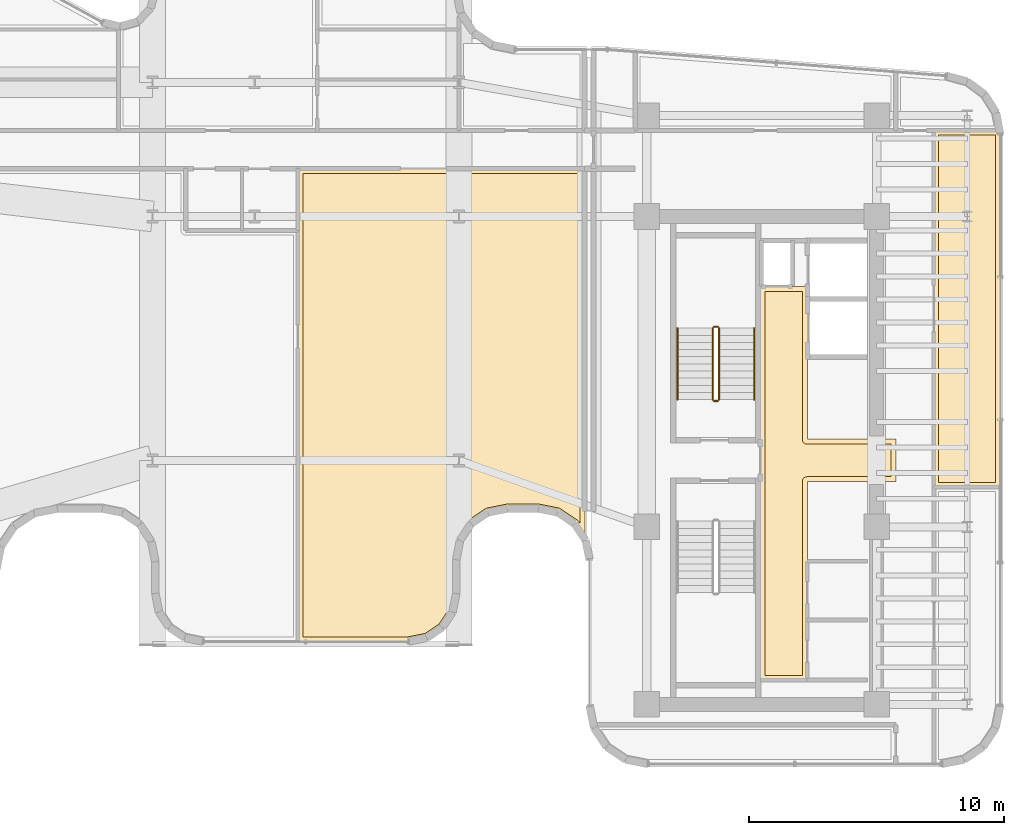
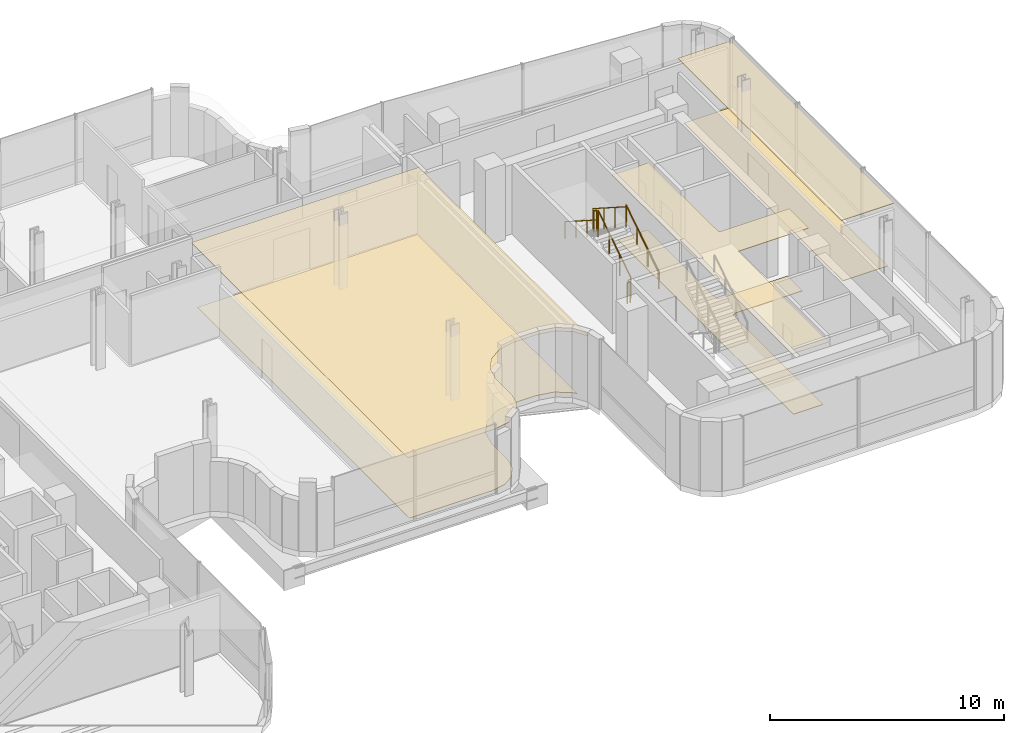
# One storey, part 37 of 39: 6 coverings, 6 railings.
"""IFC4 building model written with IfcOpenShell, lengths in metres."""

from ifc_helpers import new_model, si_unit, direction, frame, origin, origin_2d, place, context, subcontext, project, spatial, polyline, circle, outline, extrude, material, layer, layer_set, type_object, element, save


model = new_model("IFC4")

# Units and contexts
model_context = context("Model", 3, precision=1e-05, world=origin(), true_north=direction((0.0, 1.0)))
body_context = subcontext(model_context, "Body", "Model", "MODEL_VIEW")
ifc_project = project(units=[si_unit("LENGTHUNIT", "METRE"), si_unit("AREAUNIT", "SQUARE_METRE"), si_unit("VOLUMEUNIT", "CUBIC_METRE"), si_unit("PLANEANGLEUNIT", "RADIAN"), si_unit("MASSUNIT", "GRAM", prefix="KILO")], contexts=[model_context])

# Site, building, storey
site_placement = place(None, origin())
site = spatial("IfcSite", under=ifc_project, at=site_placement, CompositionType="ELEMENT")
building_placement = place(site_placement, origin())
building = spatial("IfcBuilding", under=site, at=building_placement, Name="Valdorenza Pilgrim Sanctuary Tower", CompositionType="ELEMENT")
storey_placement = place(building_placement, frame((0.0, 0.0, 184.449951171875)))
storey = spatial("IfcBuildingStorey", under=building, at=storey_placement, Name="L47", CompositionType="ELEMENT", Elevation=184.449951171875)

# Coverings
ifc_material_1 = material(Name="Micro-perforated acoustic mineral ceiling tile", Category="gypsum")
ifc_layer_1 = layer(ifc_material_1, 0.02490234375, Name="Micro-perforated acoustic mineral ceiling tile")
ifc_layer_set_1 = layer_set([ifc_layer_1], Name="Micro-perforated acoustic mineral ceiling tile")
covering_type_1 = type_object("IfcCoveringType", Name="COV-CLG-ACU", PredefinedType="CEILING", material=ifc_layer_set_1)
covering_1_placement = place(storey_placement, frame((0.0, 0.0, 3.330078125)))
element("IfcCovering", 1, at=covering_1_placement, inside=storey, type_object=covering_type_1, Name="L47 Core B Passenger Lift Lobby Acoustic Ceiling", PredefinedType="CEILING", context=body_context, shape_type="SweptSolid", body=[
    extrude(outline(polyline([(20.287109375, -0.814697265625), (20.287109375, 0.814697265625), (20.28662109375, 0.815185546875), (20.2861328125, 0.81640625), (20.28564453125, 0.81787109375), (20.285400390625, 0.819091796875), (20.28515625, 0.820556640625), (20.284912109375, 0.822021484375), (20.284912109375, 6.800048828125), (20.28515625, 6.801513671875), (20.285400390625, 6.802978515625), (20.28564453125, 6.804443359375), (20.2861328125, 6.8056640625), (20.286865234375, 6.80712890625), (20.28759765625, 6.808349609375), (20.288330078125, 6.8095703125), (20.289306640625, 6.810546875), (20.29052734375, 6.8115234375), (20.291748046875, 6.8125), (20.29296875, 6.813232421875), (20.294189453125, 6.81396484375), (20.295654296875, 6.814453125), (20.297119140625, 6.814697265625), (20.298583984375, 6.81494140625), (20.300048828125, 6.81494140625), (20.347900390625, 6.81494140625), (20.349365234375, 6.81494140625), (20.350830078125, 6.814697265625), (20.352294921875, 6.814453125), (20.353515625, 6.81396484375), (20.35498046875, 6.813232421875), (20.35546875, 6.81298828125), (21.544677734375, 6.81298828125), (21.545166015625, 6.813232421875), (21.54638671875, 6.81396484375), (21.5478515625, 6.814453125), (21.54931640625, 6.814697265625), (21.550537109375, 6.81494140625), (21.552001953125, 6.81494140625), (22.1201171875, 6.81494140625), (22.12158203125, 6.81494140625), (22.122802734375, 6.814697265625), (22.12451171875, 6.814453125), (22.125732421875, 6.81396484375), (22.127197265625, 6.813232421875), (22.12841796875, 6.8125), (22.12939453125, 6.8115234375), (22.130615234375, 6.810546875), (22.131591796875, 6.8095703125), (22.132568359375, 6.808349609375), (22.13330078125, 6.80712890625), (22.1337890625, 6.8056640625), (22.134521484375, 6.804443359375), (22.134765625, 6.802978515625), (22.135009765625, 6.801513671875), (22.135009765625, 6.800048828125), (22.135009765625, 0.8349609375), (25.60009765625, 0.8349609375), (25.6015625, 0.8349609375), (25.602783203125, 0.834716796875), (25.6044921875, 0.83447265625), (25.605712890625, 0.833984375), (25.607177734375, 0.833251953125), (25.6083984375, 0.83251953125), (25.609619140625, 0.83154296875), (25.610595703125, 0.83056640625), (25.611572265625, 0.82958984375), (25.612548828125, 0.828369140625), (25.61328125, 0.8271484375), (25.614013671875, 0.82568359375), (25.614501953125, 0.824462890625), (25.61474609375, 0.822998046875), (25.614990234375, 0.821533203125), (25.614990234375, 0.820068359375), (25.614990234375, -0.820068359375), (25.614990234375, -0.821533203125), (25.61474609375, -0.822998046875), (25.614501953125, -0.824462890625), (25.614013671875, -0.82568359375), (25.61328125, -0.8271484375), (25.612548828125, -0.828369140625), (25.611572265625, -0.82958984375), (25.610595703125, -0.83056640625), (25.609619140625, -0.83154296875), (25.6083984375, -0.83251953125), (25.607177734375, -0.833251953125), (25.605712890625, -0.833984375), (25.6044921875, -0.83447265625), (25.602783203125, -0.834716796875), (25.6015625, -0.8349609375), (25.60009765625, -0.8349609375), (22.135009765625, -0.8349609375), (22.135009765625, -8.60009765625), (22.135009765625, -8.6015625), (22.134765625, -8.602783203125), (22.134521484375, -8.6044921875), (22.1337890625, -8.605712890625), (22.13330078125, -8.607177734375), (22.132568359375, -8.6083984375), (22.131591796875, -8.609619140625), (22.130615234375, -8.610595703125), (22.12939453125, -8.611572265625), (22.12841796875, -8.612548828125), (22.127197265625, -8.61328125), (22.125732421875, -8.614013671875), (22.12451171875, -8.614501953125), (22.122802734375, -8.61474609375), (22.12158203125, -8.614990234375), (22.1201171875, -8.614990234375), (20.300048828125, -8.614990234375), (20.298583984375, -8.614990234375), (20.297119140625, -8.61474609375), (20.295654296875, -8.614501953125), (20.294189453125, -8.614013671875), (20.29296875, -8.61328125), (20.291748046875, -8.612548828125), (20.29052734375, -8.611572265625), (20.289306640625, -8.610595703125), (20.288330078125, -8.609619140625), (20.28759765625, -8.6083984375), (20.286865234375, -8.607177734375), (20.2861328125, -8.605712890625), (20.28564453125, -8.6044921875), (20.285400390625, -8.602783203125), (20.28515625, -8.6015625), (20.284912109375, -8.60009765625), (20.284912109375, -0.822021484375), (20.28515625, -0.820556640625), (20.285400390625, -0.819091796875), (20.28564453125, -0.81787109375), (20.2861328125, -0.81640625), (20.28662109375, -0.815185546875), (20.287109375, -0.814697265625)])), origin(), (0.0, 0.0, 1.0), 0.02490234375),
])
covering_2_placement = place(storey_placement, frame((0.0, 0.0, 3.330078125)))
element("IfcCovering", 2, at=covering_2_placement, inside=storey, type_object=covering_type_1, Name="L47 Sacred Archive Reading Library Acoustic Ceiling", PredefinedType="CEILING", context=body_context, shape_type="SweptSolid", body=[
    extrude(outline(polyline([(2.18701171875, 8.996337890625), (2.18701171875, 8.996826171875), (2.186767578125, 8.99853515625), (2.186767578125, 9.0), (2.18701171875, 9.00146484375), (2.18701171875, 9.001708984375), (2.18701171875, 11.419921875), (2.18701171875, 11.42138671875), (2.187255859375, 11.4228515625), (2.1875, 11.42431640625), (2.18798828125, 11.42578125), (2.188720703125, 11.427001953125), (2.189453125, 11.42822265625), (2.1904296875, 11.429443359375), (2.19140625, 11.4306640625), (2.1923828125, 11.431640625), (2.193603515625, 11.4326171875), (2.19482421875, 11.43310546875), (2.1962890625, 11.433837890625), (2.197509765625, 11.434326171875), (2.19921875, 11.434814453125), (2.200439453125, 11.434814453125), (2.201904296875, 11.43505859375), (13.419921875, 11.43505859375), (13.42138671875, 11.434814453125), (13.4228515625, 11.434814453125), (13.42431640625, 11.434326171875), (13.42578125, 11.433837890625), (13.427001953125, 11.43310546875), (13.42822265625, 11.4326171875), (13.429443359375, 11.431640625), (13.4306640625, 11.4306640625), (13.431640625, 11.429443359375), (13.4326171875, 11.42822265625), (13.43310546875, 11.427001953125), (13.433837890625, 11.42578125), (13.434326171875, 11.42431640625), (13.434814453125, 11.4228515625), (13.434814453125, 11.42138671875), (13.43505859375, 11.419921875), (13.43505859375, -3.071533203125), (13.434814453125, -3.072998046875), (13.434814453125, -3.074462890625), (13.434326171875, -3.075927734375), (13.433837890625, -3.077392578125), (13.43310546875, -3.07861328125), (13.4326171875, -3.079833984375), (13.431640625, -3.0810546875), (13.4306640625, -3.082275390625), (13.429443359375, -3.083251953125), (13.42822265625, -3.083984375), (13.427001953125, -3.084716796875), (13.42578125, -3.08544921875), (13.42431640625, -3.0859375), (13.4228515625, -3.086181640625), (13.42138671875, -3.08642578125), (13.419921875, -3.086669921875), (13.41845703125, -3.08642578125), (13.4169921875, -3.086181640625), (13.41552734375, -3.0859375), (13.414306640625, -3.08544921875), (13.412841796875, -3.084716796875), (13.41162109375, -3.083984375), (13.410400390625, -3.083251953125), (13.409423828125, -3.082275390625), (13.408447265625, -3.0810546875), (13.407470703125, -3.079833984375), (13.022705078125, -2.50390625), (13.016845703125, -2.49609375), (13.0107421875, -2.4892578125), (13.00390625, -2.483154296875), (12.99609375, -2.477294921875), (12.380126953125, -2.06591796875), (12.371826171875, -2.060791015625), (12.36328125, -2.056884765625), (12.354736328125, -2.0537109375), (12.34521484375, -2.051513671875), (11.618896484375, -1.906982421875), (11.609375, -1.905517578125), (11.599609375, -1.905029296875), (10.400390625, -1.905029296875), (10.390625, -1.905517578125), (10.381103515625, -1.906982421875), (9.65478515625, -2.051513671875), (9.645263671875, -2.0537109375), (9.63671875, -2.056884765625), (9.628173828125, -2.060791015625), (9.619873046875, -2.06591796875), (9.00390625, -2.477294921875), (8.99609375, -2.483154296875), (8.9892578125, -2.4892578125), (8.983154296875, -2.49609375), (8.977294921875, -2.50390625), (8.56591796875, -3.119873046875), (8.560791015625, -3.128173828125), (8.556884765625, -3.13671875), (8.5537109375, -3.145263671875), (8.551513671875, -3.15478515625), (8.406982421875, -3.881103515625), (8.405517578125, -3.890625), (8.405029296875, -3.900390625), (8.405029296875, -5.213134765625), (8.40478515625, -5.214599609375), (8.40478515625, -5.216064453125), (8.2607421875, -5.940185546875), (8.26025390625, -5.941650390625), (8.259765625, -5.943115234375), (8.25927734375, -5.9443359375), (8.258544921875, -5.945556640625), (7.8544921875, -6.55029296875), (7.853515625, -6.551513671875), (7.8525390625, -6.552490234375), (7.851318359375, -6.553466796875), (7.85009765625, -6.554443359375), (7.24560546875, -6.95849609375), (7.244384765625, -6.959228515625), (7.242919921875, -6.959716796875), (7.24169921875, -6.960205078125), (7.240234375, -6.960693359375), (6.51611328125, -7.104736328125), (6.5146484375, -7.10498046875), (6.51318359375, -7.10498046875), (2.201904296875, -7.10498046875), (2.200439453125, -7.10498046875), (2.19921875, -7.104736328125), (2.197509765625, -7.1044921875), (2.1962890625, -7.10400390625), (2.19482421875, -7.103271484375), (2.193603515625, -7.1025390625), (2.1923828125, -7.1015625), (2.19140625, -7.1005859375), (2.1904296875, -7.099609375), (2.189453125, -7.098388671875), (2.188720703125, -7.09716796875), (2.18798828125, -7.095703125), (2.1875, -7.094482421875), (2.187255859375, -7.093017578125), (2.18701171875, -7.091552734375), (2.18701171875, -7.090087890625), (2.18701171875, 8.996337890625)])), origin(), (0.0, 0.0, 1.0), 0.02490234375),
])
covering_3_placement = place(storey_placement, frame((0.0, 0.0, 3.330078125)))
element("IfcCovering", 3, at=covering_3_placement, inside=storey, type_object=covering_type_1, Name="L47 East Reading Lounge L47-EB2 Acoustic Ceiling", PredefinedType="CEILING", context=body_context, shape_type="SweptSolid", body=[
    extrude(outline(polyline([(27.0849609375, 12.91796875), (27.085205078125, 12.91943359375), (27.085205078125, 12.9208984375), (27.085693359375, 12.92236328125), (27.086181640625, 12.923583984375), (27.0869140625, 12.925048828125), (27.08740234375, 12.92626953125), (27.08837890625, 12.927490234375), (27.08935546875, 12.9287109375), (27.090576171875, 12.9296875), (27.091796875, 12.930419921875), (27.093017578125, 12.93115234375), (27.09423828125, 12.931884765625), (27.095703125, 12.932373046875), (27.09716796875, 12.9326171875), (27.098388671875, 12.932861328125), (27.10009765625, 12.93310546875), (29.660888671875, 12.93310546875), (29.660888671875, 12.93310546875), (29.662353515625, 12.93310546875), (29.663818359375, 12.932861328125), (29.665283203125, 12.9326171875), (29.66650390625, 12.93212890625), (29.66796875, 12.931640625), (29.669189453125, 12.930908203125), (29.67041015625, 12.930419921875), (29.67138671875, 12.929443359375), (29.672607421875, 12.928466796875), (29.673583984375, 12.92724609375), (29.67431640625, 12.926025390625), (29.675048828125, 12.9248046875), (29.67578125, 12.923583984375), (29.676025390625, 12.922119140625), (29.676513671875, 12.9208984375), (29.70458984375, 12.77099609375), (29.704833984375, 12.769775390625), (29.705078125, 12.768310546875), (29.705078125, -1.0380859375), (29.704833984375, -1.03955078125), (29.70458984375, -1.041015625), (29.704345703125, -1.04248046875), (29.703857421875, -1.043701171875), (29.703125, -1.045166015625), (29.702392578125, -1.04638671875), (29.70166015625, -1.047607421875), (29.70068359375, -1.048583984375), (29.699462890625, -1.049560546875), (29.6982421875, -1.050537109375), (29.697021484375, -1.05126953125), (29.69580078125, -1.052001953125), (29.6943359375, -1.052490234375), (29.69287109375, -1.052734375), (29.69140625, -1.052978515625), (29.68994140625, -1.052978515625), (27.10009765625, -1.052978515625), (27.098388671875, -1.052978515625), (27.09716796875, -1.052734375), (27.095703125, -1.052490234375), (27.09423828125, -1.052001953125), (27.093017578125, -1.05126953125), (27.091796875, -1.050537109375), (27.090576171875, -1.049560546875), (27.08935546875, -1.048583984375), (27.08837890625, -1.047607421875), (27.08740234375, -1.04638671875), (27.0869140625, -1.045166015625), (27.086181640625, -1.043701171875), (27.085693359375, -1.04248046875), (27.085205078125, -1.041015625), (27.085205078125, -1.03955078125), (27.0849609375, -1.0380859375), (27.0849609375, 12.91796875)])), origin(), (0.0, 0.0, 1.0), 0.02490234375),
])
ifc_material_2 = material(Name="Honed travertine stone flooring", Category="masonry")
ifc_layer_2 = layer(ifc_material_2, 0.030029296875, Name="Honed travertine stone flooring")
ifc_layer_set_2 = layer_set([ifc_layer_2], Name="Honed travertine stone flooring")
covering_type_2 = type_object("IfcCoveringType", Name="COV-FLR-TRV", PredefinedType="FLOORING", material=ifc_layer_set_2)
covering_4_placement = place(storey_placement, origin())
element("IfcCovering", 4, at=covering_4_placement, inside=storey, type_object=covering_type_2, Name="L47 Core B Passenger Lift Lobby Flooring", PredefinedType="FLOORING", context=body_context, shape_type="SweptSolid", body=[
    extrude(outline(polyline([(20.47998046875, 6.617919921875), (21.550048828125, 6.617919921875), (21.550537109375, 6.617919921875), (21.93994140625, 6.619384765625), (21.93994140625, 0.820068359375), (21.94091796875, 0.802490234375), (21.943603515625, 0.784912109375), (21.94775390625, 0.767578125), (21.95361328125, 0.751220703125), (21.961181640625, 0.735107421875), (21.97021484375, 0.719970703125), (21.98095703125, 0.705810546875), (21.99267578125, 0.692626953125), (22.005859375, 0.680908203125), (22.02001953125, 0.67041015625), (22.03515625, 0.661376953125), (22.051025390625, 0.65380859375), (22.067626953125, 0.647705078125), (22.0849609375, 0.6435546875), (22.102294921875, 0.640869140625), (22.1201171875, 0.639892578125), (25.419921875, 0.639892578125), (25.419921875, -0.639892578125), (22.1201171875, -0.639892578125), (22.102294921875, -0.640869140625), (22.0849609375, -0.6435546875), (22.067626953125, -0.647705078125), (22.051025390625, -0.65380859375), (22.03515625, -0.661376953125), (22.02001953125, -0.67041015625), (22.005859375, -0.680908203125), (21.99267578125, -0.692626953125), (21.98095703125, -0.705810546875), (21.97021484375, -0.719970703125), (21.961181640625, -0.735107421875), (21.95361328125, -0.751220703125), (21.94775390625, -0.767578125), (21.943603515625, -0.784912109375), (21.94091796875, -0.802490234375), (21.93994140625, -0.820068359375), (21.93994140625, -8.419921875), (20.47998046875, -8.419921875), (20.47998046875, -0.846923828125), (20.47998046875, -0.8466796875), (20.47998046875, -0.8466796875), (20.481689453125, -0.8291015625), (20.481689453125, -0.828857421875), (20.48193359375, -0.820068359375), (20.48193359375, 0.820068359375), (20.47998046875, 6.617919921875)])), origin(), (0.0, 0.0, 1.0), 0.025146484375),
])
covering_5_placement = place(storey_placement, origin())
element("IfcCovering", 5, at=covering_5_placement, inside=storey, type_object=covering_type_2, Name="L47 Sacred Archive Reading Library Flooring", PredefinedType="FLOORING", context=body_context, shape_type="SweptSolid", body=[
    extrude(outline(polyline([(2.382080078125, 8.999755859375), (2.382080078125, 9.0), (2.382080078125, 11.239990234375), (13.239990234375, 11.239990234375), (13.239990234375, -2.478271484375), (13.1845703125, -2.3955078125), (13.179443359375, -2.38818359375), (13.173095703125, -2.37939453125), (13.161865234375, -2.36572265625), (13.15478515625, -2.35791015625), (13.14208984375, -2.34521484375), (13.13427734375, -2.338134765625), (13.12060546875, -2.326904296875), (13.11181640625, -2.320556640625), (13.1044921875, -2.3154296875), (12.48828125, -1.903564453125), (12.480712890625, -1.898681640625), (12.471435546875, -1.893310546875), (12.455810546875, -1.885009765625), (12.4462890625, -1.88037109375), (12.4296875, -1.87353515625), (12.419677734375, -1.869873046875), (12.40283203125, -1.86474609375), (12.392333984375, -1.862060546875), (12.3837890625, -1.860107421875), (11.656494140625, -1.715576171875), (11.64794921875, -1.714111328125), (11.63720703125, -1.71240234375), (11.61962890625, -1.710693359375), (11.60888671875, -1.710205078125), (11.60009765625, -1.7099609375), (10.39990234375, -1.7099609375), (10.39111328125, -1.710205078125), (10.38037109375, -1.710693359375), (10.36279296875, -1.71240234375), (10.35205078125, -1.714111328125), (10.343505859375, -1.715576171875), (9.6162109375, -1.860107421875), (9.607666015625, -1.862060546875), (9.59716796875, -1.86474609375), (9.580322265625, -1.869873046875), (9.5703125, -1.87353515625), (9.5537109375, -1.88037109375), (9.544189453125, -1.885009765625), (9.528564453125, -1.893310546875), (9.519287109375, -1.898681640625), (9.51171875, -1.903564453125), (8.8955078125, -2.3154296875), (8.88818359375, -2.320556640625), (8.87939453125, -2.326904296875), (8.86572265625, -2.338134765625), (8.85791015625, -2.34521484375), (8.84521484375, -2.35791015625), (8.838134765625, -2.36572265625), (8.826904296875, -2.37939453125), (8.820556640625, -2.38818359375), (8.8154296875, -2.3955078125), (8.403564453125, -3.01171875), (8.398681640625, -3.019287109375), (8.393310546875, -3.028564453125), (8.385009765625, -3.044189453125), (8.38037109375, -3.0537109375), (8.37353515625, -3.0703125), (8.369873046875, -3.080322265625), (8.36474609375, -3.09716796875), (8.362060546875, -3.107666015625), (8.360107421875, -3.1162109375), (8.215576171875, -3.843505859375), (8.214111328125, -3.85205078125), (8.21240234375, -3.86279296875), (8.210693359375, -3.88037109375), (8.210205078125, -3.89111328125), (8.2099609375, -3.89990234375), (8.2099609375, -5.1953125), (8.076416015625, -5.866943359375), (7.712158203125, -6.412109375), (7.1669921875, -6.7763671875), (6.495361328125, -6.909912109375), (2.382080078125, -6.909912109375), (2.382080078125, 8.998046875), (2.382080078125, 8.9990234375), (2.382080078125, 8.999755859375)])), origin(), (0.0, 0.0, 1.0), 0.025146484375),
])
covering_6_placement = place(storey_placement, origin())
element("IfcCovering", 6, at=covering_6_placement, inside=storey, type_object=covering_type_2, Name="L47 East Reading Lounge L47-EB2 Flooring", PredefinedType="FLOORING", context=body_context, shape_type="SweptSolid", body=[
    extrude(outline(polyline([(27.280029296875, 12.738037109375), (29.510009765625, 12.738037109375), (29.510009765625, -0.85791015625), (27.280029296875, -0.85791015625), (27.280029296875, 12.738037109375)])), origin(), (0.0, 0.0, 1.0), 0.025146484375),
])

# Railings
ifc_material_3 = material(Name="Stainless steel Grade 316", Category="steel")
railing_type_1 = type_object("IfcRailingType", Name="RLG-GRD-1120", PredefinedType="GUARDRAIL", material=ifc_material_3)
railing_1_placement = place(storey_placement, frame((18.679931640625, 2.3798828125, 0.1796875)))
element("IfcRailing", 7, at=railing_1_placement, inside=storey, type_object=railing_type_1, Name="L47 ST-B1 stair guard 1", PredefinedType="GUARDRAIL", context=body_context, shape_type="SweptSolid", body=[
    extrude(circle(Radius=0.02392578125, at=origin_2d()), frame((0.0, 0.0, 1.076171875), z_axis=(0.0, 0.841809871826, 0.539774156196), x_axis=(-1.0, 0.0, 0.0)), (0.0, 0.0, 1.0), 3.326171875),
    extrude(circle(Radius=0.02099609375, at=origin_2d()), origin(), (0.0, 0.0, 1.0), 1.052001953125),
    extrude(circle(Radius=0.02099609375, at=origin_2d()), frame((0.0, 0.933349609375, 0.598388671875)), (0.0, 0.0, 1.0), 1.052001953125),
    extrude(circle(Radius=0.02099609375, at=origin_2d()), frame((0.0, 1.86669921875, 1.197021484375)), (0.0, 0.0, 1.0), 1.052001953125),
    extrude(circle(Radius=0.02099609375, at=origin_2d()), frame((0.0, 2.800048828125, 1.79541015625)), (0.0, 0.0, 1.0), 1.052001953125),
])
railing_2_placement = place(storey_placement, frame((18.6298828125, 5.22998046875, 1.97509765625)))
element("IfcRailing", 8, at=railing_2_placement, inside=storey, type_object=railing_type_1, Name="L47 ST-B1 stair guard 2", PredefinedType="GUARDRAIL", context=body_context, shape_type="SweptSolid", body=[
    extrude(circle(Radius=0.02392578125, at=origin_2d()), frame((0.0, 0.0, 1.076171875), z_axis=(-1.0, 0.0, 0.0), x_axis=(0.0, -1.0, 0.0)), (0.0, 0.0, 1.0), 0.14990234375),
    extrude(circle(Radius=0.02099609375, at=origin_2d()), origin(), (0.0, 0.0, 1.0), 1.052001953125),
    extrude(circle(Radius=0.02099609375, at=origin_2d()), frame((-0.14990234375, 0.0, 0.0)), (0.0, 0.0, 1.0), 1.052001953125),
])
railing_3_placement = place(storey_placement, frame((18.429931640625, 5.179931640625, 2.154541015625)))
element("IfcRailing", 9, at=railing_3_placement, inside=storey, type_object=railing_type_1, Name="L47 ST-B1 stair guard 3", PredefinedType="GUARDRAIL", context=body_context, shape_type="SweptSolid", body=[
    extrude(circle(Radius=0.02392578125, at=origin_2d()), frame((0.0, 0.0, 1.076171875), z_axis=(0.0, -0.841809871826, 0.539774156196), x_axis=(1.0, 0.0, 0.0)), (0.0, 0.0, 1.0), 3.326171875),
    extrude(circle(Radius=0.02099609375, at=origin_2d()), origin(), (0.0, 0.0, 1.0), 1.052001953125),
    extrude(circle(Radius=0.02099609375, at=origin_2d()), frame((0.0, -0.933349609375, 0.598388671875)), (0.0, 0.0, 1.0), 1.052001953125),
    extrude(circle(Radius=0.02099609375, at=origin_2d()), frame((0.0, -1.86669921875, 1.197021484375)), (0.0, 0.0, 1.0), 1.052001953125),
    extrude(circle(Radius=0.02099609375, at=origin_2d()), frame((0.0, -2.800048828125, 1.79541015625)), (0.0, 0.0, 1.0), 1.052001953125),
])
railing_4_placement = place(storey_placement, frame((18.6298828125, 2.330078125, 0.0)))
element("IfcRailing", 10, at=railing_4_placement, inside=storey, type_object=railing_type_1, Name="L47 ST-B1 stair guard 4", PredefinedType="GUARDRAIL", context=body_context, shape_type="SweptSolid", body=[
    extrude(circle(Radius=0.02392578125, at=origin_2d()), frame((0.0, 0.0, 1.076171875), z_axis=(-1.0, 0.0, 0.0), x_axis=(0.0, -1.0, 0.0)), (0.0, 0.0, 1.0), 0.14990234375),
    extrude(circle(Radius=0.02099609375, at=origin_2d()), origin(), (0.0, 0.0, 1.0), 1.052001953125),
    extrude(circle(Radius=0.02099609375, at=origin_2d()), frame((-0.14990234375, 0.0, 0.0)), (0.0, 0.0, 1.0), 1.052001953125),
])
ifc_material_4 = material(Name="Brushed stainless steel Grade 316", Category="steel")
railing_type_2 = type_object("IfcRailingType", Name="RLG-HND-920", PredefinedType="HANDRAIL", material=ifc_material_4)
railing_5_placement = place(storey_placement, frame((20.06005859375, 2.3798828125, 0.1796875)))
element("IfcRailing", 11, at=railing_5_placement, inside=storey, type_object=railing_type_2, Name="L47 ST-B1 stair handrail 1", PredefinedType="HANDRAIL", context=body_context, shape_type="SweptSolid", body=[
    extrude(circle(Radius=0.02392578125, at=origin_2d()), frame((0.0, 0.0, 0.8759765625), z_axis=(0.0, 0.841809871826, 0.539774156196), x_axis=(-1.0, 0.0, 0.0)), (0.0, 0.0, 1.0), 3.326171875),
    extrude(circle(Radius=0.02099609375, at=origin_2d()), origin(), (0.0, 0.0, 1.0), 0.851806640625),
    extrude(circle(Radius=0.02099609375, at=origin_2d()), frame((0.0, 0.933349609375, 0.598388671875)), (0.0, 0.0, 1.0), 0.851806640625),
    extrude(circle(Radius=0.02099609375, at=origin_2d()), frame((0.0, 1.86669921875, 1.197021484375)), (0.0, 0.0, 1.0), 0.851806640625),
    extrude(circle(Radius=0.02099609375, at=origin_2d()), frame((0.0, 2.800048828125, 1.79541015625)), (0.0, 0.0, 1.0), 0.851806640625),
])
railing_6_placement = place(storey_placement, frame((17.050048828125, 5.179931640625, 2.154541015625)))
element("IfcRailing", 12, at=railing_6_placement, inside=storey, type_object=railing_type_2, Name="L47 ST-B1 stair handrail 2", PredefinedType="HANDRAIL", context=body_context, shape_type="SweptSolid", body=[
    extrude(circle(Radius=0.02392578125, at=origin_2d()), frame((0.0, 0.0, 0.8759765625), z_axis=(0.0, -0.841809871826, 0.539774156196), x_axis=(1.0, 0.0, 0.0)), (0.0, 0.0, 1.0), 3.326171875),
    extrude(circle(Radius=0.02099609375, at=origin_2d()), origin(), (0.0, 0.0, 1.0), 0.851806640625),
    extrude(circle(Radius=0.02099609375, at=origin_2d()), frame((0.0, -0.933349609375, 0.598388671875)), (0.0, 0.0, 1.0), 0.851806640625),
    extrude(circle(Radius=0.02099609375, at=origin_2d()), frame((0.0, -1.86669921875, 1.197021484375)), (0.0, 0.0, 1.0), 0.851806640625),
    extrude(circle(Radius=0.02099609375, at=origin_2d()), frame((0.0, -2.800048828125, 1.79541015625)), (0.0, 0.0, 1.0), 0.851806640625),
])

save(model, "model.ifc")
